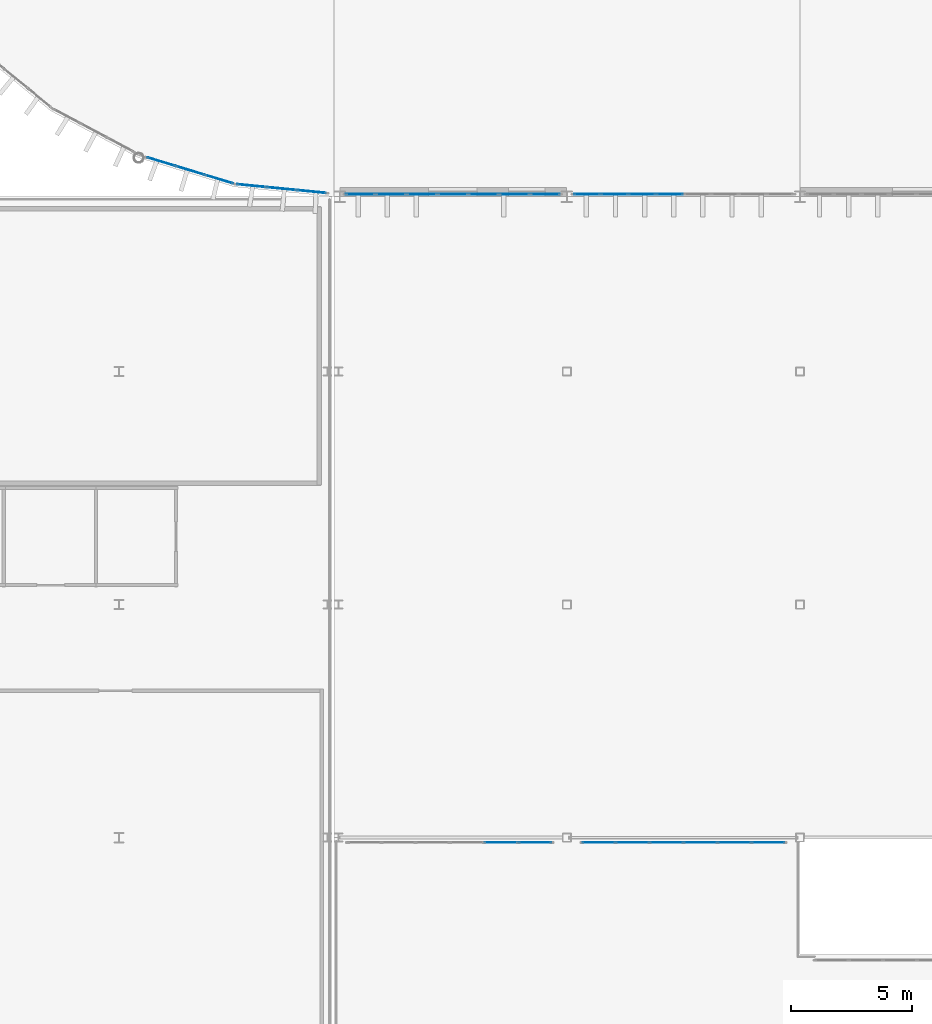
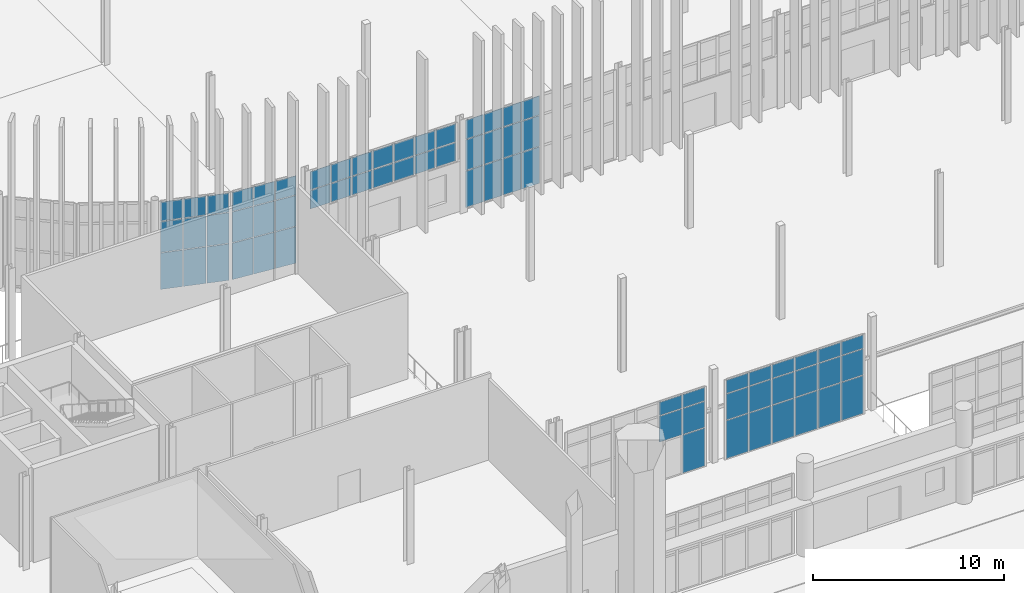
# One storey, part 70 of 139: 67 plates, 6 elements without a shape of their own.
"""IFC4 building model written with IfcOpenShell, lengths in metres."""

import ifcopenshell
import ifcopenshell.guid

model = None  # the IFC model being written
_history = None  # IfcOwnerHistory: only IFC2X3 demands one
_inside = {}  # id of a spatial element -> (the spatial element, [elements in it])
_under = {}  # id of a project, library or spatial element -> (it, [spatial elements below it])
_declared = {}  # id of a project -> (the project, [libraries it declares])
_typed = {}  # id of a type object -> (the type object, [elements of that type])
_made_of = {}  # id of a material, layer set ... -> (it, [elements and type objects made of it])


def new_model(schema):
    """Start an empty IFC model of exactly this schema.

    Asked for "IFC4X3", IfcOpenShell would pick the latest addendum, in which some entities
    have other attributes; the version numbers below select the first issue.
    IFC2X3 requires an IfcOwnerHistory on every rooted entity: one is made here for all.
    """
    global model, _history
    if schema == "IFC4X3":
        model = ifcopenshell.file(schema_version=(4, 3, 0, 0))
    else:
        model = ifcopenshell.file(schema=schema)
    _inside.clear()
    _under.clear()
    _declared.clear()
    _typed.clear()
    _made_of.clear()
    _history = None
    if model.schema == "IFC2X3":
        org = make("IfcOrganization", Name="unknown")
        user = make(
            "IfcPersonAndOrganization",
            ThePerson=make("IfcPerson", FamilyName="unknown"),
            TheOrganization=org,
        )
        app = make(
            "IfcApplication",
            ApplicationDeveloper=org,
            Version="unknown",
            ApplicationFullName="unknown",
            ApplicationIdentifier="unknown",
        )
        _history = make(
            "IfcOwnerHistory",
            OwningUser=user,
            OwningApplication=app,
            ChangeAction="ADDED",
            CreationDate=0,
        )
    return model


def make(cls, **values):
    """One entity of the class cls with the attributes given. An attribute that is None is left unset."""
    return model.create_entity(
        cls, **{name: value for name, value in values.items() if value is not None}
    )


def rooted(cls, **values):
    """An entity with a GlobalId (a new one), such as an element, a storey or a relation."""
    return make(cls, GlobalId=ifcopenshell.guid.new(), OwnerHistory=_history, **values)


def si_unit(unit_type, name, prefix=None):
    """IfcSIUnit, for example si_unit("LENGTHUNIT", "METRE", prefix="MILLI")."""
    return make("IfcSIUnit", UnitType=unit_type, Prefix=prefix, Name=name)


def assignment(units):
    """IfcUnitAssignment: the units of a project."""
    return None if units is None else make("IfcUnitAssignment", Units=units)


def point(xyz):
    """IfcCartesianPoint."""
    return None if xyz is None else make("IfcCartesianPoint", Coordinates=xyz)


def direction(xyz):
    """IfcDirection."""
    return None if xyz is None else make("IfcDirection", DirectionRatios=xyz)


def frame(location, z_axis=None, x_axis=None):
    """IfcAxis2Placement3D, a coordinate frame: its origin and axes. An axis left out is left unset."""
    return make(
        "IfcAxis2Placement3D",
        Location=point(location),
        Axis=direction(z_axis),
        RefDirection=direction(x_axis),
    )


def frame_2d(location, x_axis=None):
    """IfcAxis2Placement2D, a coordinate frame in the plane: its origin and x axis."""
    return make(
        "IfcAxis2Placement2D", Location=point(location), RefDirection=direction(x_axis)
    )


def origin():
    """The frame at (0, 0, 0) with its axes left unset."""
    return frame((0.0, 0.0, 0.0))


def origin_2d():
    """The frame at (0, 0) in the plane with its x axis left unset."""
    return frame_2d((0.0, 0.0))


def place(relative_to, where):
    """IfcLocalPlacement: puts the frame where relative to a parent placement (None: the world)."""
    return make(
        "IfcLocalPlacement", PlacementRelTo=relative_to, RelativePlacement=where
    )


def context(
    kind, dimensions, precision=None, world=None, true_north=None, identifier=None
):
    """IfcGeometricRepresentationContext, for example the 3D "Model" context."""
    return make(
        "IfcGeometricRepresentationContext",
        ContextIdentifier=identifier,
        ContextType=kind,
        CoordinateSpaceDimension=dimensions,
        Precision=precision,
        WorldCoordinateSystem=world,
        TrueNorth=true_north,
    )


def subcontext(parent, identifier, kind, view, scale=None):
    """IfcGeometricRepresentationSubContext, for example "Body" below "Model"."""
    return make(
        "IfcGeometricRepresentationSubContext",
        ContextIdentifier=identifier,
        ContextType=kind,
        ParentContext=parent,
        TargetScale=scale,
        TargetView=view,
    )


def project(units=None, contexts=None):
    """IfcProject with its units and contexts."""
    return rooted(
        "IfcProject",
        Name="project",
        RepresentationContexts=contexts,
        UnitsInContext=assignment(units),
    )


def spatial(cls, under=None, at=None, **own):
    """A site, building, storey or space (cls), placed at a placement, below another one or the project."""
    s = rooted(cls, ObjectPlacement=at, **own)
    if under is not None:
        _under.setdefault(under.id(), (under, []))[1].append(s)
    return s


def profile(cls, at=None, kind="AREA", **sizes):
    """A parametric profile (cls). Its sizes go by their IFC names, for example OverallWidth=200.0."""
    return make(cls, ProfileType=kind, Position=at, **sizes)


def rectangle(**sizes):
    """IfcRectangleProfileDef."""
    return profile("IfcRectangleProfileDef", **sizes)


def extrude(swept, where, along, depth):
    """IfcExtrudedAreaSolid: the profile swept, set in the frame where, extruded along a direction by depth."""
    return make(
        "IfcExtrudedAreaSolid",
        SweptArea=swept,
        Position=where,
        ExtrudedDirection=direction(along),
        Depth=depth,
    )


def shape(context_of_items, identifier, shape_type, items):
    """IfcShapeRepresentation: the items that make up one representation, for example the "Body"."""
    return make(
        "IfcShapeRepresentation",
        ContextOfItems=context_of_items,
        RepresentationIdentifier=identifier,
        RepresentationType=shape_type,
        Items=items,
    )


def material(Name=None, Category=None):
    """IfcMaterial."""
    return make("IfcMaterial", Name=Name, Category=Category)


def layer(
    of_material, thickness, ventilated=None, Name=None, Category=None, Priority=None
):
    """IfcMaterialLayer: one layer of a wall or slab, of a material (None: an air gap)."""
    return make(
        "IfcMaterialLayer",
        Material=of_material,
        LayerThickness=thickness,
        IsVentilated=ventilated,
        Name=Name,
        Category=Category,
        Priority=Priority,
    )


def layer_set(layers, Name=None):
    """IfcMaterialLayerSet."""
    return make("IfcMaterialLayerSet", MaterialLayers=layers, LayerSetName=Name)


def made_of(thing, what):
    """Note that an element or type object is made of a material, layer set ...; save() writes the relation."""
    if what is not None:
        _made_of.setdefault(what.id(), (what, []))[1].append(thing)
    return thing


def type_object(cls, material=None, **own):
    """A type object (cls), such as IfcWallType, which elements share."""
    return made_of(rooted(cls, **own), material)


def element(
    cls,
    number,
    at=None,
    inside=None,
    cuts=None,
    type_object=None,
    material=None,
    context=None,
    identifier="Body",
    shape_type=None,
    held_by="IfcProductDefinitionShape",
    body=None,
    shapes=None,
    **own,
):
    """One element of the class cls, such as IfcWall. Its Tag is "e" and its number.

    at: its placement. inside: the storey or other place that contains it. cuts: it is an
    opening in that element (IfcRelVoidsElement). A single representation is given by context,
    identifier, shape_type and body (its items); several are given by shapes. held_by: the class
    of the entity that holds the representations. save() writes the other relations.
    """
    e = rooted(cls, Tag="e%d" % number, ObjectPlacement=at, **own)
    if body is not None:
        shapes = [shape(context, identifier, shape_type, body)]
    if shapes is not None:
        e.Representation = make(held_by, Representations=shapes)
    if inside is not None:
        _inside.setdefault(inside.id(), (inside, []))[1].append(e)
    if cuts is not None:
        rooted(
            "IfcRelVoidsElement", RelatingBuildingElement=cuts, RelatedOpeningElement=e
        )
    if type_object is not None:
        _typed.setdefault(type_object.id(), (type_object, []))[1].append(e)
    return made_of(e, material)


def aggregate(whole, parts):
    """IfcRelAggregates: a whole, such as a stair, and the parts it consists of."""
    return rooted("IfcRelAggregates", RelatingObject=whole, RelatedObjects=parts)


def save(model, path):
    """Write the relations noted so far, then the file.

    IfcRelAggregates (storeys below a building ...), IfcRelContainedInSpatialStructure (elements
    in a storey), IfcRelDefinesByType, IfcRelAssociatesMaterial and IfcRelDeclares: one each for
    every whole, place, type object, material and project.
    """
    for whole, parts in _under.values():
        aggregate(whole, parts)
    for where, things in _inside.values():
        rooted(
            "IfcRelContainedInSpatialStructure",
            RelatedElements=things,
            RelatingStructure=where,
        )
    for kind, things in _typed.values():
        rooted("IfcRelDefinesByType", RelatedObjects=things, RelatingType=kind)
    for what, things in _made_of.values():
        rooted("IfcRelAssociatesMaterial", RelatedObjects=things, RelatingMaterial=what)
    for by, libraries in _declared.values():
        rooted("IfcRelDeclares", RelatingContext=by, RelatedDefinitions=libraries)
    model.write(path)


model = new_model("IFC4")

# Units and contexts
model_context = context("Model", 3, precision=1e-05, world=origin(), true_north=direction((0.0, 1.0)))
body_context = subcontext(model_context, "Body", "Model", "MODEL_VIEW")
ifc_project = project(units=[si_unit("LENGTHUNIT", "METRE"), si_unit("AREAUNIT", "SQUARE_METRE"), si_unit("VOLUMEUNIT", "CUBIC_METRE"), si_unit("PLANEANGLEUNIT", "RADIAN"), si_unit("MASSUNIT", "GRAM", prefix="KILO")], contexts=[model_context])

# Site, building, storey
site_placement = place(None, origin())
site = spatial("IfcSite", under=ifc_project, at=site_placement, CompositionType="ELEMENT")
building_placement = place(site_placement, origin())
building = spatial("IfcBuilding", under=site, at=building_placement, Name="Yeouljin Market Hall", CompositionType="ELEMENT")
storey_placement = place(building_placement, origin())
storey = spatial("IfcBuildingStorey", under=building, at=storey_placement, Name="L00", CompositionType="ELEMENT", Elevation=0.0)

# Curtain wall, plates
ifc_material_1 = material(Name="Thermally Broken Aluminium", Category="aluminium")
ifc_layer_1 = layer(ifc_material_1, 0.179931640625)
ifc_layer_set_1 = layer_set([ifc_layer_1], Name="Thermally Broken Aluminium")
curtain_wall_type_1 = type_object("IfcCurtainWallType", Name="CW_ApseCurved_System", PredefinedType="USERDEFINED", material=ifc_layer_set_1)
curtain_wall_1_placement = place(storey_placement, origin())
curtain_wall_1 = element("IfcCurtainWall", 1, at=curtain_wall_1_placement, inside=storey, type_object=curtain_wall_type_1, Name="Curtain wall CW-AP-WL00-01", ObjectType="CURTAIN WALL", PredefinedType="USERDEFINED")
ifc_material_2 = material(Name="Low-E Insulated Glass", Category="glass")
ifc_layer_2 = layer(ifc_material_2, 0.031982421875)
ifc_layer_set_2 = layer_set([ifc_layer_2], Name="Low-E Insulated Glass")
plate_type_1 = type_object("IfcPlateType", Name="CWPanel_AcousticGlass_32", PredefinedType="CURTAIN_PANEL", material=ifc_layer_set_2)
plate_1_placement = place(storey_placement, frame((34.483642578125, 36.210205078125, 0.0478515625), z_axis=(0.0, 0.0, 1.0), x_axis=(-0.995183051807, 0.09803414403, 0.0)))
plate_1 = element("IfcPlate", 2, at=plate_1_placement, type_object=plate_type_1, Name="CW-03 panel 1.1", PredefinedType="CURTAIN_PANEL", context=body_context, shape_type="SweptSolid", body=[
    extrude(rectangle(XDim=1.185791015625, YDim=0.031982421875, at=origin_2d()), origin(), (0.0, 0.0, 1.0), 2.327880859375),
])
plate_2_placement = place(storey_placement, frame((34.483642578125, 36.210205078125, 2.423828125), z_axis=(0.0, 0.0, 1.0), x_axis=(-0.995183051807, 0.09803414403, 0.0)))
plate_2 = element("IfcPlate", 3, at=plate_2_placement, type_object=plate_type_1, Name="CW-03 panel 1.2", PredefinedType="CURTAIN_PANEL", context=body_context, shape_type="SweptSolid", body=[
    extrude(rectangle(XDim=1.185791015625, YDim=0.031982421875, at=origin_2d()), origin(), (0.0, 0.0, 1.0), 1.951904296875),
])
plate_3_placement = place(storey_placement, frame((34.483642578125, 36.210205078125, 4.424072265625), z_axis=(0.0, 0.0, 1.0), x_axis=(-0.995183051807, 0.09803414403, 0.0)))
plate_3 = element("IfcPlate", 4, at=plate_3_placement, type_object=plate_type_1, Name="CW-03 panel 1.3", PredefinedType="CURTAIN_PANEL", context=body_context, shape_type="SweptSolid", body=[
    extrude(rectangle(XDim=1.185791015625, YDim=0.031982421875, at=origin_2d()), origin(), (0.0, 0.0, 1.0), 1.2080078125),
])
plate_4_placement = place(storey_placement, frame((33.243896484375, 36.332275390625, 0.0478515625), z_axis=(0.0, 0.0, 1.0), x_axis=(-0.995183051807, 0.09803414403, 0.0)))
plate_4 = element("IfcPlate", 5, at=plate_4_placement, type_object=plate_type_1, Name="CW-03 panel 2.1", PredefinedType="CURTAIN_PANEL", context=body_context, shape_type="SweptSolid", body=[
    extrude(rectangle(XDim=1.209716796875, YDim=0.031982421875, at=origin_2d()), origin(), (0.0, 0.0, 1.0), 2.327880859375),
])
plate_5_placement = place(storey_placement, frame((33.243896484375, 36.332275390625, 2.423828125), z_axis=(0.0, 0.0, 1.0), x_axis=(-0.995183051807, 0.09803414403, 0.0)))
plate_5 = element("IfcPlate", 6, at=plate_5_placement, type_object=plate_type_1, Name="CW-03 panel 2.2", PredefinedType="CURTAIN_PANEL", context=body_context, shape_type="SweptSolid", body=[
    extrude(rectangle(XDim=1.209716796875, YDim=0.031982421875, at=origin_2d()), origin(), (0.0, 0.0, 1.0), 1.951904296875),
])
plate_6_placement = place(storey_placement, frame((33.243896484375, 36.332275390625, 4.424072265625), z_axis=(0.0, 0.0, 1.0), x_axis=(-0.995183051807, 0.09803414403, 0.0)))
plate_6 = element("IfcPlate", 7, at=plate_6_placement, type_object=plate_type_1, Name="CW-03 panel 2.3", PredefinedType="CURTAIN_PANEL", context=body_context, shape_type="SweptSolid", body=[
    extrude(rectangle(XDim=1.209716796875, YDim=0.031982421875, at=origin_2d()), origin(), (0.0, 0.0, 1.0), 1.2080078125),
])
plate_7_placement = place(storey_placement, frame((32.004150390625, 36.45458984375, 0.0478515625), z_axis=(0.0, 0.0, 1.0), x_axis=(-0.995183051807, 0.09803414403, 0.0)))
plate_7 = element("IfcPlate", 8, at=plate_7_placement, type_object=plate_type_1, Name="CW-03 panel 3.1", PredefinedType="CURTAIN_PANEL", context=body_context, shape_type="SweptSolid", body=[
    extrude(rectangle(XDim=1.185791015625, YDim=0.031982421875, at=origin_2d()), origin(), (0.0, 0.0, 1.0), 2.327880859375),
])
plate_8_placement = place(storey_placement, frame((32.004150390625, 36.45458984375, 2.423828125), z_axis=(0.0, 0.0, 1.0), x_axis=(-0.995183051807, 0.09803414403, 0.0)))
plate_8 = element("IfcPlate", 9, at=plate_8_placement, type_object=plate_type_1, Name="CW-03 panel 3.2", PredefinedType="CURTAIN_PANEL", context=body_context, shape_type="SweptSolid", body=[
    extrude(rectangle(XDim=1.185791015625, YDim=0.031982421875, at=origin_2d()), origin(), (0.0, 0.0, 1.0), 1.951904296875),
])
plate_9_placement = place(storey_placement, frame((32.004150390625, 36.45458984375, 4.424072265625), z_axis=(0.0, 0.0, 1.0), x_axis=(-0.995183051807, 0.09803414403, 0.0)))
plate_9 = element("IfcPlate", 10, at=plate_9_placement, type_object=plate_type_1, Name="CW-03 panel 3.3", PredefinedType="CURTAIN_PANEL", context=body_context, shape_type="SweptSolid", body=[
    extrude(rectangle(XDim=1.185791015625, YDim=0.031982421875, at=origin_2d()), origin(), (0.0, 0.0, 1.0), 1.2080078125),
])
aggregate(curtain_wall_1, [plate_1, plate_2, plate_3, plate_4, plate_5, plate_6, plate_7, plate_8, plate_9])

curtain_wall_2_placement = place(storey_placement, origin())
curtain_wall_2 = element("IfcCurtainWall", 11, at=curtain_wall_2_placement, inside=storey, type_object=curtain_wall_type_1, Name="Curtain wall CW-AP-WL00-02", ObjectType="CURTAIN WALL", PredefinedType="USERDEFINED")
plate_10_placement = place(storey_placement, frame((30.675048828125, 36.71875, 0.0478515625), z_axis=(0.0, 0.0, 1.0), x_axis=(-0.95693988447, 0.290286164863, 0.0)))
plate_10 = element("IfcPlate", 12, at=plate_10_placement, type_object=plate_type_1, Name="CW-03 panel 1.1", PredefinedType="CURTAIN_PANEL", context=body_context, shape_type="SweptSolid", body=[
    extrude(rectangle(XDim=1.185791015625, YDim=0.031982421875, at=origin_2d()), origin(), (0.0, 0.0, 1.0), 2.327880859375),
])
plate_11_placement = place(storey_placement, frame((30.675048828125, 36.71875, 2.423828125), z_axis=(0.0, 0.0, 1.0), x_axis=(-0.95693988447, 0.290286164863, 0.0)))
plate_11 = element("IfcPlate", 13, at=plate_11_placement, type_object=plate_type_1, Name="CW-03 panel 1.2", PredefinedType="CURTAIN_PANEL", context=body_context, shape_type="SweptSolid", body=[
    extrude(rectangle(XDim=1.185791015625, YDim=0.031982421875, at=origin_2d()), origin(), (0.0, 0.0, 1.0), 1.951904296875),
])
plate_12_placement = place(storey_placement, frame((30.675048828125, 36.71875, 4.424072265625), z_axis=(0.0, 0.0, 1.0), x_axis=(-0.95693988447, 0.290286164863, 0.0)))
plate_12 = element("IfcPlate", 14, at=plate_12_placement, type_object=plate_type_1, Name="CW-03 panel 1.3", PredefinedType="CURTAIN_PANEL", context=body_context, shape_type="SweptSolid", body=[
    extrude(rectangle(XDim=1.185791015625, YDim=0.031982421875, at=origin_2d()), origin(), (0.0, 0.0, 1.0), 1.2080078125),
])
plate_13_placement = place(storey_placement, frame((29.48291015625, 37.08056640625, 0.0478515625), z_axis=(0.0, 0.0, 1.0), x_axis=(-0.95693988447, 0.290286164863, 0.0)))
plate_13 = element("IfcPlate", 15, at=plate_13_placement, type_object=plate_type_1, Name="CW-03 panel 2.1", PredefinedType="CURTAIN_PANEL", context=body_context, shape_type="SweptSolid", body=[
    extrude(rectangle(XDim=1.209716796875, YDim=0.031982421875, at=origin_2d()), origin(), (0.0, 0.0, 1.0), 2.327880859375),
])
plate_14_placement = place(storey_placement, frame((29.48291015625, 37.08056640625, 2.423828125), z_axis=(0.0, 0.0, 1.0), x_axis=(-0.95693988447, 0.290286164863, 0.0)))
plate_14 = element("IfcPlate", 16, at=plate_14_placement, type_object=plate_type_1, Name="CW-03 panel 2.2", PredefinedType="CURTAIN_PANEL", context=body_context, shape_type="SweptSolid", body=[
    extrude(rectangle(XDim=1.209716796875, YDim=0.031982421875, at=origin_2d()), origin(), (0.0, 0.0, 1.0), 1.951904296875),
])
plate_15_placement = place(storey_placement, frame((29.48291015625, 37.08056640625, 4.424072265625), z_axis=(0.0, 0.0, 1.0), x_axis=(-0.95693988447, 0.290286164863, 0.0)))
plate_15 = element("IfcPlate", 17, at=plate_15_placement, type_object=plate_type_1, Name="CW-03 panel 2.3", PredefinedType="CURTAIN_PANEL", context=body_context, shape_type="SweptSolid", body=[
    extrude(rectangle(XDim=1.209716796875, YDim=0.031982421875, at=origin_2d()), origin(), (0.0, 0.0, 1.0), 1.2080078125),
])
plate_16_placement = place(storey_placement, frame((28.290771484375, 37.442138671875, 0.0478515625), z_axis=(0.0, 0.0, 1.0), x_axis=(-0.95693988447, 0.290286164863, 0.0)))
plate_16 = element("IfcPlate", 18, at=plate_16_placement, type_object=plate_type_1, Name="CW-03 panel 3.1", PredefinedType="CURTAIN_PANEL", context=body_context, shape_type="SweptSolid", body=[
    extrude(rectangle(XDim=1.185791015625, YDim=0.031982421875, at=origin_2d()), origin(), (0.0, 0.0, 1.0), 2.327880859375),
])
plate_17_placement = place(storey_placement, frame((28.290771484375, 37.442138671875, 2.423828125), z_axis=(0.0, 0.0, 1.0), x_axis=(-0.95693988447, 0.290286164863, 0.0)))
plate_17 = element("IfcPlate", 19, at=plate_17_placement, type_object=plate_type_1, Name="CW-03 panel 3.2", PredefinedType="CURTAIN_PANEL", context=body_context, shape_type="SweptSolid", body=[
    extrude(rectangle(XDim=1.185791015625, YDim=0.031982421875, at=origin_2d()), origin(), (0.0, 0.0, 1.0), 1.951904296875),
])
plate_18_placement = place(storey_placement, frame((28.290771484375, 37.442138671875, 4.424072265625), z_axis=(0.0, 0.0, 1.0), x_axis=(-0.95693988447, 0.290286164863, 0.0)))
plate_18 = element("IfcPlate", 20, at=plate_18_placement, type_object=plate_type_1, Name="CW-03 panel 3.3", PredefinedType="CURTAIN_PANEL", context=body_context, shape_type="SweptSolid", body=[
    extrude(rectangle(XDim=1.185791015625, YDim=0.031982421875, at=origin_2d()), origin(), (0.0, 0.0, 1.0), 1.2080078125),
])
aggregate(curtain_wall_2, [plate_10, plate_11, plate_12, plate_13, plate_14, plate_15, plate_16, plate_17, plate_18])

ifc_material_3 = material(Name="Thermally Broken Aluminium", Category="aluminium")
ifc_layer_3 = layer(ifc_material_3, 0.179931640625)
ifc_layer_set_3 = layer_set([ifc_layer_3], Name="Thermally Broken Aluminium")
curtain_wall_type_2 = type_object("IfcCurtainWallType", Name="CW_HallNave_System", PredefinedType="USERDEFINED", material=ifc_layer_set_3)
curtain_wall_3_placement = place(storey_placement, origin())
curtain_wall_3 = element("IfcCurtainWall", 21, at=curtain_wall_3_placement, inside=storey, type_object=curtain_wall_type_2, Name="Curtain wall CW-V1S-L00-01", ObjectType="CURTAIN WALL", PredefinedType="USERDEFINED")
ifc_material_4 = material(Name="Low-E Insulated Glass", Category="glass")
ifc_layer_4 = layer(ifc_material_4, 0.028076171875)
ifc_layer_set_4 = layer_set([ifc_layer_4], Name="Low-E Insulated Glass")
plate_type_2 = type_object("IfcPlateType", Name="CWPanel_LowE_28", PredefinedType="CURTAIN_PANEL", material=ifc_layer_set_4)
plate_19_placement = place(storey_placement, frame((44.102294921875, 36.10009765625, 3.248046875), z_axis=(0.0, 0.0, 1.0), x_axis=(-1.0, 0.0, 0.0)))
plate_19 = element("IfcPlate", 22, at=plate_19_placement, type_object=plate_type_2, Name="CW-01 panel 1.1", PredefinedType="CURTAIN_PANEL", context=body_context, shape_type="SweptSolid", body=[
    extrude(rectangle(XDim=1.199462890625, YDim=0.028076171875, at=origin_2d()), origin(), (0.0, 0.0, 1.0), 1.177978515625),
])
plate_20_placement = place(storey_placement, frame((44.102294921875, 36.10009765625, 4.47412109375), z_axis=(0.0, 0.0, 1.0), x_axis=(-1.0, 0.0, 0.0)))
plate_20 = element("IfcPlate", 23, at=plate_20_placement, type_object=plate_type_2, Name="CW-01 panel 1.2", PredefinedType="CURTAIN_PANEL", context=body_context, shape_type="SweptSolid", body=[
    extrude(rectangle(XDim=1.199462890625, YDim=0.028076171875, at=origin_2d()), origin(), (0.0, 0.0, 1.0), 1.157958984375),
])
plate_21_placement = place(storey_placement, frame((42.8427734375, 36.10009765625, 3.248046875), z_axis=(0.0, 0.0, 1.0), x_axis=(-1.0, 0.0, 0.0)))
plate_21 = element("IfcPlate", 24, at=plate_21_placement, type_object=plate_type_2, Name="CW-01 panel 2.1", PredefinedType="CURTAIN_PANEL", context=body_context, shape_type="SweptSolid", body=[
    extrude(rectangle(XDim=1.223388671875, YDim=0.028076171875, at=origin_2d()), origin(), (0.0, 0.0, 1.0), 1.177978515625),
])
plate_22_placement = place(storey_placement, frame((42.8427734375, 36.10009765625, 4.47412109375), z_axis=(0.0, 0.0, 1.0), x_axis=(-1.0, 0.0, 0.0)))
plate_22 = element("IfcPlate", 25, at=plate_22_placement, type_object=plate_type_2, Name="CW-01 panel 2.2", PredefinedType="CURTAIN_PANEL", context=body_context, shape_type="SweptSolid", body=[
    extrude(rectangle(XDim=1.223388671875, YDim=0.028076171875, at=origin_2d()), origin(), (0.0, 0.0, 1.0), 1.157958984375),
])
plate_23_placement = place(storey_placement, frame((41.571533203125, 36.10009765625, 3.248046875), z_axis=(0.0, 0.0, 1.0), x_axis=(-1.0, 0.0, 0.0)))
plate_23 = element("IfcPlate", 26, at=plate_23_placement, type_object=plate_type_2, Name="CW-01 panel 3.1", PredefinedType="CURTAIN_PANEL", context=body_context, shape_type="SweptSolid", body=[
    extrude(rectangle(XDim=1.223388671875, YDim=0.028076171875, at=origin_2d()), origin(), (0.0, 0.0, 1.0), 1.177978515625),
])
plate_24_placement = place(storey_placement, frame((41.571533203125, 36.10009765625, 4.47412109375), z_axis=(0.0, 0.0, 1.0), x_axis=(-1.0, 0.0, 0.0)))
plate_24 = element("IfcPlate", 27, at=plate_24_placement, type_object=plate_type_2, Name="CW-01 panel 3.2", PredefinedType="CURTAIN_PANEL", context=body_context, shape_type="SweptSolid", body=[
    extrude(rectangle(XDim=1.223388671875, YDim=0.028076171875, at=origin_2d()), origin(), (0.0, 0.0, 1.0), 1.157958984375),
])
plate_25_placement = place(storey_placement, frame((40.300048828125, 36.10009765625, 3.248046875), z_axis=(0.0, 0.0, 1.0), x_axis=(-1.0, 0.0, 0.0)))
plate_25 = element("IfcPlate", 28, at=plate_25_placement, type_object=plate_type_2, Name="CW-01 panel 4.1", PredefinedType="CURTAIN_PANEL", context=body_context, shape_type="SweptSolid", body=[
    extrude(rectangle(XDim=1.223388671875, YDim=0.028076171875, at=origin_2d()), origin(), (0.0, 0.0, 1.0), 1.177978515625),
])
plate_26_placement = place(storey_placement, frame((40.300048828125, 36.10009765625, 4.47412109375), z_axis=(0.0, 0.0, 1.0), x_axis=(-1.0, 0.0, 0.0)))
plate_26 = element("IfcPlate", 29, at=plate_26_placement, type_object=plate_type_2, Name="CW-01 panel 4.2", PredefinedType="CURTAIN_PANEL", context=body_context, shape_type="SweptSolid", body=[
    extrude(rectangle(XDim=1.223388671875, YDim=0.028076171875, at=origin_2d()), origin(), (0.0, 0.0, 1.0), 1.157958984375),
])
plate_27_placement = place(storey_placement, frame((39.028564453125, 36.10009765625, 3.248046875), z_axis=(0.0, 0.0, 1.0), x_axis=(-1.0, 0.0, 0.0)))
plate_27 = element("IfcPlate", 30, at=plate_27_placement, type_object=plate_type_2, Name="CW-01 panel 5.1", PredefinedType="CURTAIN_PANEL", context=body_context, shape_type="SweptSolid", body=[
    extrude(rectangle(XDim=1.223388671875, YDim=0.028076171875, at=origin_2d()), origin(), (0.0, 0.0, 1.0), 1.177978515625),
])
plate_28_placement = place(storey_placement, frame((39.028564453125, 36.10009765625, 4.47412109375), z_axis=(0.0, 0.0, 1.0), x_axis=(-1.0, 0.0, 0.0)))
plate_28 = element("IfcPlate", 31, at=plate_28_placement, type_object=plate_type_2, Name="CW-01 panel 5.2", PredefinedType="CURTAIN_PANEL", context=body_context, shape_type="SweptSolid", body=[
    extrude(rectangle(XDim=1.223388671875, YDim=0.028076171875, at=origin_2d()), origin(), (0.0, 0.0, 1.0), 1.157958984375),
])
plate_29_placement = place(storey_placement, frame((37.757080078125, 36.10009765625, 3.248046875), z_axis=(0.0, 0.0, 1.0), x_axis=(-1.0, 0.0, 0.0)))
plate_29 = element("IfcPlate", 32, at=plate_29_placement, type_object=plate_type_2, Name="CW-01 panel 6.1", PredefinedType="CURTAIN_PANEL", context=body_context, shape_type="SweptSolid", body=[
    extrude(rectangle(XDim=1.223388671875, YDim=0.028076171875, at=origin_2d()), origin(), (0.0, 0.0, 1.0), 1.177978515625),
])
plate_30_placement = place(storey_placement, frame((37.757080078125, 36.10009765625, 4.47412109375), z_axis=(0.0, 0.0, 1.0), x_axis=(-1.0, 0.0, 0.0)))
plate_30 = element("IfcPlate", 33, at=plate_30_placement, type_object=plate_type_2, Name="CW-01 panel 6.2", PredefinedType="CURTAIN_PANEL", context=body_context, shape_type="SweptSolid", body=[
    extrude(rectangle(XDim=1.223388671875, YDim=0.028076171875, at=origin_2d()), origin(), (0.0, 0.0, 1.0), 1.157958984375),
])
plate_31_placement = place(storey_placement, frame((36.497802734375, 36.10009765625, 3.248046875), z_axis=(0.0, 0.0, 1.0), x_axis=(-1.0, 0.0, 0.0)))
plate_31 = element("IfcPlate", 34, at=plate_31_placement, type_object=plate_type_2, Name="CW-01 panel 7.1", PredefinedType="CURTAIN_PANEL", context=body_context, shape_type="SweptSolid", body=[
    extrude(rectangle(XDim=1.199462890625, YDim=0.028076171875, at=origin_2d()), origin(), (0.0, 0.0, 1.0), 1.177978515625),
])
plate_32_placement = place(storey_placement, frame((36.497802734375, 36.10009765625, 4.47412109375), z_axis=(0.0, 0.0, 1.0), x_axis=(-1.0, 0.0, 0.0)))
plate_32 = element("IfcPlate", 35, at=plate_32_placement, type_object=plate_type_2, Name="CW-01 panel 7.2", PredefinedType="CURTAIN_PANEL", context=body_context, shape_type="SweptSolid", body=[
    extrude(rectangle(XDim=1.199462890625, YDim=0.028076171875, at=origin_2d()), origin(), (0.0, 0.0, 1.0), 1.157958984375),
])
aggregate(curtain_wall_3, [plate_19, plate_20, plate_21, plate_22, plate_23, plate_24, plate_25, plate_26, plate_27, plate_28, plate_29, plate_30, plate_31, plate_32])

ifc_material_5 = material(Name="Thermally Broken Aluminium", Category="aluminium")
ifc_layer_5 = layer(ifc_material_5, 0.14990234375)
ifc_layer_set_5 = layer_set([ifc_layer_5], Name="Thermally Broken Aluminium")
curtain_wall_type_3 = type_object("IfcCurtainWallType", Name="CW_ColonnadeScreen_System", PredefinedType="USERDEFINED", material=ifc_layer_set_5)
curtain_wall_4_placement = place(storey_placement, origin())
curtain_wall_4 = element("IfcCurtainWall", 36, at=curtain_wall_4_placement, inside=storey, type_object=curtain_wall_type_3, Name="Curtain wall CW-V5N-L00-1", ObjectType="CURTAIN WALL", PredefinedType="USERDEFINED")
plate_33_placement = place(storey_placement, frame((42.28759765625, 9.39990234375, 2.52392578125), z_axis=(0.0, 0.0, 1.0), x_axis=(1.0, 0.0, 0.0)))
plate_33 = element("IfcPlate", 37, at=plate_33_placement, type_object=plate_type_2, Name="CW-06 panel 5.2", PredefinedType="CURTAIN_PANEL", context=body_context, shape_type="SweptSolid", body=[
    extrude(rectangle(XDim=1.3603515625, YDim=0.028076171875, at=origin_2d()), origin(), (0.0, 0.0, 1.0), 1.652099609375),
])
plate_34_placement = place(storey_placement, frame((42.28759765625, 9.39990234375, 4.22412109375), z_axis=(0.0, 0.0, 1.0), x_axis=(1.0, 0.0, 0.0)))
plate_34 = element("IfcPlate", 38, at=plate_34_placement, type_object=plate_type_2, Name="CW-06 panel 5.3", PredefinedType="CURTAIN_PANEL", context=body_context, shape_type="SweptSolid", body=[
    extrude(rectangle(XDim=1.3603515625, YDim=0.028076171875, at=origin_2d()), origin(), (0.0, 0.0, 1.0), 0.847900390625),
])
plate_35_placement = place(storey_placement, frame((43.683837890625, 9.39990234375, 0.0478515625), z_axis=(0.0, 0.0, 1.0), x_axis=(1.0, 0.0, 0.0)))
plate_35 = element("IfcPlate", 39, at=plate_35_placement, type_object=plate_type_2, Name="CW-06 panel 6.1", PredefinedType="CURTAIN_PANEL", context=body_context, shape_type="SweptSolid", body=[
    extrude(rectangle(XDim=1.33642578125, YDim=0.028076171875, at=origin_2d()), origin(), (0.0, 0.0, 1.0), 2.427978515625),
])
plate_36_placement = place(storey_placement, frame((43.683837890625, 9.39990234375, 2.52392578125), z_axis=(0.0, 0.0, 1.0), x_axis=(1.0, 0.0, 0.0)))
plate_36 = element("IfcPlate", 40, at=plate_36_placement, type_object=plate_type_2, Name="CW-06 panel 6.2", PredefinedType="CURTAIN_PANEL", context=body_context, shape_type="SweptSolid", body=[
    extrude(rectangle(XDim=1.33642578125, YDim=0.028076171875, at=origin_2d()), origin(), (0.0, 0.0, 1.0), 1.652099609375),
])
plate_37_placement = place(storey_placement, frame((43.683837890625, 9.39990234375, 4.22412109375), z_axis=(0.0, 0.0, 1.0), x_axis=(1.0, 0.0, 0.0)))
plate_37 = element("IfcPlate", 41, at=plate_37_placement, type_object=plate_type_2, Name="CW-06 panel 6.3", PredefinedType="CURTAIN_PANEL", context=body_context, shape_type="SweptSolid", body=[
    extrude(rectangle(XDim=1.33642578125, YDim=0.028076171875, at=origin_2d()), origin(), (0.0, 0.0, 1.0), 0.847900390625),
])
aggregate(curtain_wall_4, [plate_33, plate_34, plate_35, plate_36, plate_37])

curtain_wall_5_placement = place(storey_placement, origin())
curtain_wall_5 = element("IfcCurtainWall", 42, at=curtain_wall_5_placement, inside=storey, type_object=curtain_wall_type_3, Name="Curtain wall CW-V5N-L00-2", ObjectType="CURTAIN WALL", PredefinedType="USERDEFINED")
plate_38_placement = place(storey_placement, frame((46.31201171875, 9.39990234375, 0.0478515625), z_axis=(0.0, 0.0, 1.0), x_axis=(1.0, 0.0, 0.0)))
plate_38 = element("IfcPlate", 43, at=plate_38_placement, type_object=plate_type_2, Name="CW-06 panel 1.1", PredefinedType="CURTAIN_PANEL", context=body_context, shape_type="SweptSolid", body=[
    extrude(rectangle(XDim=1.327880859375, YDim=0.028076171875, at=origin_2d()), origin(), (0.0, 0.0, 1.0), 2.427978515625),
])
plate_39_placement = place(storey_placement, frame((46.31201171875, 9.39990234375, 2.52392578125), z_axis=(0.0, 0.0, 1.0), x_axis=(1.0, 0.0, 0.0)))
plate_39 = element("IfcPlate", 44, at=plate_39_placement, type_object=plate_type_2, Name="CW-06 panel 1.2", PredefinedType="CURTAIN_PANEL", context=body_context, shape_type="SweptSolid", body=[
    extrude(rectangle(XDim=1.327880859375, YDim=0.028076171875, at=origin_2d()), origin(), (0.0, 0.0, 1.0), 1.652099609375),
])
plate_40_placement = place(storey_placement, frame((46.31201171875, 9.39990234375, 4.22412109375), z_axis=(0.0, 0.0, 1.0), x_axis=(1.0, 0.0, 0.0)))
plate_40 = element("IfcPlate", 45, at=plate_40_placement, type_object=plate_type_2, Name="CW-06 panel 1.3", PredefinedType="CURTAIN_PANEL", context=body_context, shape_type="SweptSolid", body=[
    extrude(rectangle(XDim=1.327880859375, YDim=0.028076171875, at=origin_2d()), origin(), (0.0, 0.0, 1.0), 0.847900390625),
])
plate_41_placement = place(storey_placement, frame((47.699951171875, 9.39990234375, 0.0478515625), z_axis=(0.0, 0.0, 1.0), x_axis=(1.0, 0.0, 0.0)))
plate_41 = element("IfcPlate", 46, at=plate_41_placement, type_object=plate_type_2, Name="CW-06 panel 2.1", PredefinedType="CURTAIN_PANEL", context=body_context, shape_type="SweptSolid", body=[
    extrude(rectangle(XDim=1.35205078125, YDim=0.028076171875, at=origin_2d()), origin(), (0.0, 0.0, 1.0), 2.427978515625),
])
plate_42_placement = place(storey_placement, frame((47.699951171875, 9.39990234375, 2.52392578125), z_axis=(0.0, 0.0, 1.0), x_axis=(1.0, 0.0, 0.0)))
plate_42 = element("IfcPlate", 47, at=plate_42_placement, type_object=plate_type_2, Name="CW-06 panel 2.2", PredefinedType="CURTAIN_PANEL", context=body_context, shape_type="SweptSolid", body=[
    extrude(rectangle(XDim=1.35205078125, YDim=0.028076171875, at=origin_2d()), origin(), (0.0, 0.0, 1.0), 1.652099609375),
])
plate_43_placement = place(storey_placement, frame((47.699951171875, 9.39990234375, 4.22412109375), z_axis=(0.0, 0.0, 1.0), x_axis=(1.0, 0.0, 0.0)))
plate_43 = element("IfcPlate", 48, at=plate_43_placement, type_object=plate_type_2, Name="CW-06 panel 2.3", PredefinedType="CURTAIN_PANEL", context=body_context, shape_type="SweptSolid", body=[
    extrude(rectangle(XDim=1.35205078125, YDim=0.028076171875, at=origin_2d()), origin(), (0.0, 0.0, 1.0), 0.847900390625),
])
plate_44_placement = place(storey_placement, frame((49.10009765625, 9.39990234375, 0.0478515625), z_axis=(0.0, 0.0, 1.0), x_axis=(1.0, 0.0, 0.0)))
plate_44 = element("IfcPlate", 49, at=plate_44_placement, type_object=plate_type_2, Name="CW-06 panel 3.1", PredefinedType="CURTAIN_PANEL", context=body_context, shape_type="SweptSolid", body=[
    extrude(rectangle(XDim=1.35205078125, YDim=0.028076171875, at=origin_2d()), origin(), (0.0, 0.0, 1.0), 2.427978515625),
])
plate_45_placement = place(storey_placement, frame((49.10009765625, 9.39990234375, 2.52392578125), z_axis=(0.0, 0.0, 1.0), x_axis=(1.0, 0.0, 0.0)))
plate_45 = element("IfcPlate", 50, at=plate_45_placement, type_object=plate_type_2, Name="CW-06 panel 3.2", PredefinedType="CURTAIN_PANEL", context=body_context, shape_type="SweptSolid", body=[
    extrude(rectangle(XDim=1.35205078125, YDim=0.028076171875, at=origin_2d()), origin(), (0.0, 0.0, 1.0), 1.652099609375),
])
plate_46_placement = place(storey_placement, frame((49.10009765625, 9.39990234375, 4.22412109375), z_axis=(0.0, 0.0, 1.0), x_axis=(1.0, 0.0, 0.0)))
plate_46 = element("IfcPlate", 51, at=plate_46_placement, type_object=plate_type_2, Name="CW-06 panel 3.3", PredefinedType="CURTAIN_PANEL", context=body_context, shape_type="SweptSolid", body=[
    extrude(rectangle(XDim=1.35205078125, YDim=0.028076171875, at=origin_2d()), origin(), (0.0, 0.0, 1.0), 0.847900390625),
])
plate_47_placement = place(storey_placement, frame((50.5, 9.39990234375, 0.0478515625), z_axis=(0.0, 0.0, 1.0), x_axis=(1.0, 0.0, 0.0)))
plate_47 = element("IfcPlate", 52, at=plate_47_placement, type_object=plate_type_2, Name="CW-06 panel 4.1", PredefinedType="CURTAIN_PANEL", context=body_context, shape_type="SweptSolid", body=[
    extrude(rectangle(XDim=1.35205078125, YDim=0.028076171875, at=origin_2d()), origin(), (0.0, 0.0, 1.0), 2.427978515625),
])
plate_48_placement = place(storey_placement, frame((50.5, 9.39990234375, 2.52392578125), z_axis=(0.0, 0.0, 1.0), x_axis=(1.0, 0.0, 0.0)))
plate_48 = element("IfcPlate", 53, at=plate_48_placement, type_object=plate_type_2, Name="CW-06 panel 4.2", PredefinedType="CURTAIN_PANEL", context=body_context, shape_type="SweptSolid", body=[
    extrude(rectangle(XDim=1.35205078125, YDim=0.028076171875, at=origin_2d()), origin(), (0.0, 0.0, 1.0), 1.652099609375),
])
plate_49_placement = place(storey_placement, frame((50.5, 9.39990234375, 4.22412109375), z_axis=(0.0, 0.0, 1.0), x_axis=(1.0, 0.0, 0.0)))
plate_49 = element("IfcPlate", 54, at=plate_49_placement, type_object=plate_type_2, Name="CW-06 panel 4.3", PredefinedType="CURTAIN_PANEL", context=body_context, shape_type="SweptSolid", body=[
    extrude(rectangle(XDim=1.35205078125, YDim=0.028076171875, at=origin_2d()), origin(), (0.0, 0.0, 1.0), 0.847900390625),
])
plate_50_placement = place(storey_placement, frame((51.89990234375, 9.39990234375, 0.0478515625), z_axis=(0.0, 0.0, 1.0), x_axis=(1.0, 0.0, 0.0)))
plate_50 = element("IfcPlate", 55, at=plate_50_placement, type_object=plate_type_2, Name="CW-06 panel 5.1", PredefinedType="CURTAIN_PANEL", context=body_context, shape_type="SweptSolid", body=[
    extrude(rectangle(XDim=1.35205078125, YDim=0.028076171875, at=origin_2d()), origin(), (0.0, 0.0, 1.0), 2.427978515625),
])
plate_51_placement = place(storey_placement, frame((51.89990234375, 9.39990234375, 2.52392578125), z_axis=(0.0, 0.0, 1.0), x_axis=(1.0, 0.0, 0.0)))
plate_51 = element("IfcPlate", 56, at=plate_51_placement, type_object=plate_type_2, Name="CW-06 panel 5.2", PredefinedType="CURTAIN_PANEL", context=body_context, shape_type="SweptSolid", body=[
    extrude(rectangle(XDim=1.35205078125, YDim=0.028076171875, at=origin_2d()), origin(), (0.0, 0.0, 1.0), 1.652099609375),
])
plate_52_placement = place(storey_placement, frame((51.89990234375, 9.39990234375, 4.22412109375), z_axis=(0.0, 0.0, 1.0), x_axis=(1.0, 0.0, 0.0)))
plate_52 = element("IfcPlate", 57, at=plate_52_placement, type_object=plate_type_2, Name="CW-06 panel 5.3", PredefinedType="CURTAIN_PANEL", context=body_context, shape_type="SweptSolid", body=[
    extrude(rectangle(XDim=1.35205078125, YDim=0.028076171875, at=origin_2d()), origin(), (0.0, 0.0, 1.0), 0.847900390625),
])
plate_53_placement = place(storey_placement, frame((53.2880859375, 9.39990234375, 0.0478515625), z_axis=(0.0, 0.0, 1.0), x_axis=(1.0, 0.0, 0.0)))
plate_53 = element("IfcPlate", 58, at=plate_53_placement, type_object=plate_type_2, Name="CW-06 panel 6.1", PredefinedType="CURTAIN_PANEL", context=body_context, shape_type="SweptSolid", body=[
    extrude(rectangle(XDim=1.327880859375, YDim=0.028076171875, at=origin_2d()), origin(), (0.0, 0.0, 1.0), 2.427978515625),
])
plate_54_placement = place(storey_placement, frame((53.2880859375, 9.39990234375, 2.52392578125), z_axis=(0.0, 0.0, 1.0), x_axis=(1.0, 0.0, 0.0)))
plate_54 = element("IfcPlate", 59, at=plate_54_placement, type_object=plate_type_2, Name="CW-06 panel 6.2", PredefinedType="CURTAIN_PANEL", context=body_context, shape_type="SweptSolid", body=[
    extrude(rectangle(XDim=1.327880859375, YDim=0.028076171875, at=origin_2d()), origin(), (0.0, 0.0, 1.0), 1.652099609375),
])
plate_55_placement = place(storey_placement, frame((53.2880859375, 9.39990234375, 4.22412109375), z_axis=(0.0, 0.0, 1.0), x_axis=(1.0, 0.0, 0.0)))
plate_55 = element("IfcPlate", 60, at=plate_55_placement, type_object=plate_type_2, Name="CW-06 panel 6.3", PredefinedType="CURTAIN_PANEL", context=body_context, shape_type="SweptSolid", body=[
    extrude(rectangle(XDim=1.327880859375, YDim=0.028076171875, at=origin_2d()), origin(), (0.0, 0.0, 1.0), 0.847900390625),
])
aggregate(curtain_wall_5, [plate_38, plate_39, plate_40, plate_41, plate_42, plate_43, plate_44, plate_45, plate_46, plate_47, plate_48, plate_49, plate_50, plate_51, plate_52, plate_53, plate_54, plate_55])

curtain_wall_6_placement = place(storey_placement, origin())
curtain_wall_6 = element("IfcCurtainWall", 61, at=curtain_wall_6_placement, inside=storey, type_object=curtain_wall_type_2, Name="Curtain wall CW-V1S-L00-02", ObjectType="CURTAIN WALL", PredefinedType="USERDEFINED")
ifc_material_6 = material(Name="Low-E Insulated Glass", Category="glass")
ifc_layer_6 = layer(ifc_material_6, 0.035888671875)
ifc_layer_set_6 = layer_set([ifc_layer_6], Name="Low-E Insulated Glass")
plate_type_3 = type_object("IfcPlateType", Name="CWPanel_TripleLowE_36", PredefinedType="CURTAIN_PANEL", material=ifc_layer_set_6)
plate_56_placement = place(storey_placement, frame((49.231201171875, 36.10009765625, 0.0478515625), z_axis=(0.0, 0.0, 1.0), x_axis=(-1.0, 0.0, 0.0)))
plate_56 = element("IfcPlate", 62, at=plate_56_placement, type_object=plate_type_3, Name="CW-01 panel 5.1", PredefinedType="CURTAIN_PANEL", context=body_context, shape_type="SweptSolid", body=[
    extrude(rectangle(XDim=1.089599609375, YDim=0.035888671875, at=origin_2d()), origin(), (0.0, 0.0, 1.0), 2.327880859375),
])
plate_57_placement = place(storey_placement, frame((49.231201171875, 36.10009765625, 2.423828125), z_axis=(0.0, 0.0, 1.0), x_axis=(-1.0, 0.0, 0.0)))
plate_57 = element("IfcPlate", 63, at=plate_57_placement, type_object=plate_type_3, Name="CW-01 panel 5.2", PredefinedType="CURTAIN_PANEL", context=body_context, shape_type="SweptSolid", body=[
    extrude(rectangle(XDim=1.089599609375, YDim=0.035888671875, at=origin_2d()), origin(), (0.0, 0.0, 1.0), 1.951904296875),
])
plate_58_placement = place(storey_placement, frame((49.231201171875, 36.10009765625, 4.424072265625), z_axis=(0.0, 0.0, 1.0), x_axis=(-1.0, 0.0, 0.0)))
plate_58 = element("IfcPlate", 64, at=plate_58_placement, type_object=plate_type_3, Name="CW-01 panel 5.3", PredefinedType="CURTAIN_PANEL", context=body_context, shape_type="SweptSolid", body=[
    extrude(rectangle(XDim=1.089599609375, YDim=0.035888671875, at=origin_2d()), origin(), (0.0, 0.0, 1.0), 1.2080078125),
])
plate_59_placement = place(storey_placement, frame((48.09375, 36.10009765625, 0.0478515625), z_axis=(0.0, 0.0, 1.0), x_axis=(-1.0, 0.0, 0.0)))
plate_59 = element("IfcPlate", 65, at=plate_59_placement, type_object=plate_type_3, Name="CW-01 panel 6.1", PredefinedType="CURTAIN_PANEL", context=body_context, shape_type="SweptSolid", body=[
    extrude(rectangle(XDim=1.089599609375, YDim=0.035888671875, at=origin_2d()), origin(), (0.0, 0.0, 1.0), 2.327880859375),
])
plate_60_placement = place(storey_placement, frame((48.09375, 36.10009765625, 2.423828125), z_axis=(0.0, 0.0, 1.0), x_axis=(-1.0, 0.0, 0.0)))
plate_60 = element("IfcPlate", 66, at=plate_60_placement, type_object=plate_type_3, Name="CW-01 panel 6.2", PredefinedType="CURTAIN_PANEL", context=body_context, shape_type="SweptSolid", body=[
    extrude(rectangle(XDim=1.089599609375, YDim=0.035888671875, at=origin_2d()), origin(), (0.0, 0.0, 1.0), 1.951904296875),
])
plate_61_placement = place(storey_placement, frame((48.09375, 36.10009765625, 4.424072265625), z_axis=(0.0, 0.0, 1.0), x_axis=(-1.0, 0.0, 0.0)))
plate_61 = element("IfcPlate", 67, at=plate_61_placement, type_object=plate_type_3, Name="CW-01 panel 6.3", PredefinedType="CURTAIN_PANEL", context=body_context, shape_type="SweptSolid", body=[
    extrude(rectangle(XDim=1.089599609375, YDim=0.035888671875, at=origin_2d()), origin(), (0.0, 0.0, 1.0), 1.2080078125),
])
plate_62_placement = place(storey_placement, frame((46.956298828125, 36.10009765625, 0.0478515625), z_axis=(0.0, 0.0, 1.0), x_axis=(-1.0, 0.0, 0.0)))
plate_62 = element("IfcPlate", 68, at=plate_62_placement, type_object=plate_type_3, Name="CW-01 panel 7.1", PredefinedType="CURTAIN_PANEL", context=body_context, shape_type="SweptSolid", body=[
    extrude(rectangle(XDim=1.089599609375, YDim=0.035888671875, at=origin_2d()), origin(), (0.0, 0.0, 1.0), 2.327880859375),
])
plate_63_placement = place(storey_placement, frame((46.956298828125, 36.10009765625, 2.423828125), z_axis=(0.0, 0.0, 1.0), x_axis=(-1.0, 0.0, 0.0)))
plate_63 = element("IfcPlate", 69, at=plate_63_placement, type_object=plate_type_3, Name="CW-01 panel 7.2", PredefinedType="CURTAIN_PANEL", context=body_context, shape_type="SweptSolid", body=[
    extrude(rectangle(XDim=1.089599609375, YDim=0.035888671875, at=origin_2d()), origin(), (0.0, 0.0, 1.0), 1.951904296875),
])
plate_64_placement = place(storey_placement, frame((46.956298828125, 36.10009765625, 4.424072265625), z_axis=(0.0, 0.0, 1.0), x_axis=(-1.0, 0.0, 0.0)))
plate_64 = element("IfcPlate", 70, at=plate_64_placement, type_object=plate_type_3, Name="CW-01 panel 7.3", PredefinedType="CURTAIN_PANEL", context=body_context, shape_type="SweptSolid", body=[
    extrude(rectangle(XDim=1.089599609375, YDim=0.035888671875, at=origin_2d()), origin(), (0.0, 0.0, 1.0), 1.2080078125),
])
plate_65_placement = place(storey_placement, frame((45.830810546875, 36.10009765625, 0.0478515625), z_axis=(0.0, 0.0, 1.0), x_axis=(-1.0, 0.0, 0.0)))
plate_65 = element("IfcPlate", 71, at=plate_65_placement, type_object=plate_type_3, Name="CW-01 panel 8.1", PredefinedType="CURTAIN_PANEL", context=body_context, shape_type="SweptSolid", body=[
    extrude(rectangle(XDim=1.0654296875, YDim=0.035888671875, at=origin_2d()), origin(), (0.0, 0.0, 1.0), 2.327880859375),
])
plate_66_placement = place(storey_placement, frame((45.830810546875, 36.10009765625, 2.423828125), z_axis=(0.0, 0.0, 1.0), x_axis=(-1.0, 0.0, 0.0)))
plate_66 = element("IfcPlate", 72, at=plate_66_placement, type_object=plate_type_3, Name="CW-01 panel 8.2", PredefinedType="CURTAIN_PANEL", context=body_context, shape_type="SweptSolid", body=[
    extrude(rectangle(XDim=1.0654296875, YDim=0.035888671875, at=origin_2d()), origin(), (0.0, 0.0, 1.0), 1.951904296875),
])
plate_67_placement = place(storey_placement, frame((45.830810546875, 36.10009765625, 4.424072265625), z_axis=(0.0, 0.0, 1.0), x_axis=(-1.0, 0.0, 0.0)))
plate_67 = element("IfcPlate", 73, at=plate_67_placement, type_object=plate_type_3, Name="CW-01 panel 8.3", PredefinedType="CURTAIN_PANEL", context=body_context, shape_type="SweptSolid", body=[
    extrude(rectangle(XDim=1.0654296875, YDim=0.035888671875, at=origin_2d()), origin(), (0.0, 0.0, 1.0), 1.2080078125),
])
aggregate(curtain_wall_6, [plate_56, plate_57, plate_58, plate_59, plate_60, plate_61, plate_62, plate_63, plate_64, plate_65, plate_66, plate_67])

save(model, "model.ifc")
